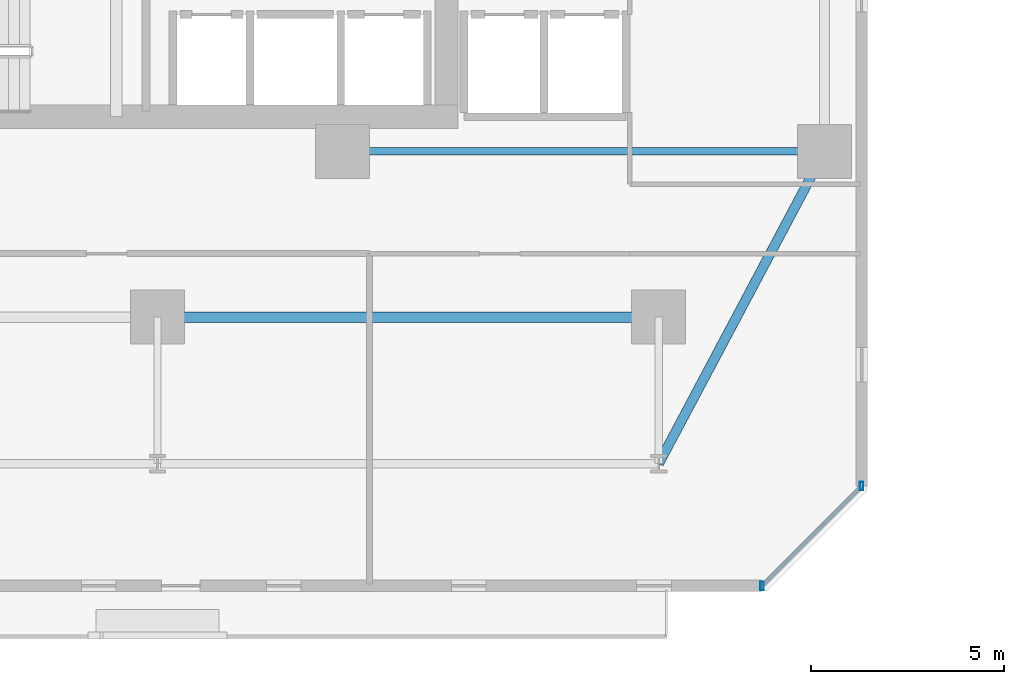
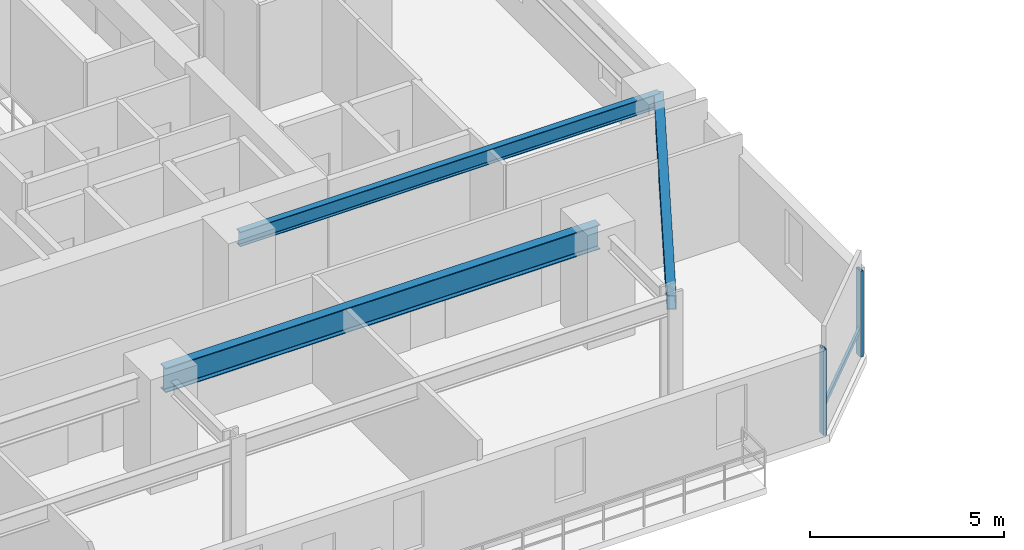
# One storey, part 5 of 33: 3 beams, 3 members, 1 element without a shape of its own.
"""IFC4 building model written with IfcOpenShell, lengths in metres."""

from ifc_helpers import new_model, si_unit, direction, frame, origin, origin_2d, place, context, subcontext, project, spatial, hollow_rectangle, i_section, extrude, material, material_profile, profile_set, type_object, element, aggregate, save


model = new_model("IFC4")

# Units and contexts
model_context = context("Model", 3, precision=1e-05, world=origin(), true_north=direction((0.0, 1.0)))
body_context = subcontext(model_context, "Body", "Model", "MODEL_VIEW")
ifc_project = project(units=[si_unit("LENGTHUNIT", "METRE"), si_unit("AREAUNIT", "SQUARE_METRE"), si_unit("VOLUMEUNIT", "CUBIC_METRE"), si_unit("PLANEANGLEUNIT", "RADIAN"), si_unit("MASSUNIT", "GRAM", prefix="KILO")], contexts=[model_context])

# Site, building, storey
site_placement = place(None, origin())
site = spatial("IfcSite", under=ifc_project, at=site_placement, CompositionType="ELEMENT")
building_placement = place(site_placement, origin())
building = spatial("IfcBuilding", under=site, at=building_placement, Name="Thornwick Lancets Civic Towers", CompositionType="ELEMENT")
storey_placement = place(building_placement, frame((0.0, 0.0, 38.699951171875)))
storey = spatial("IfcBuildingStorey", under=building, at=storey_placement, Name="L09", CompositionType="ELEMENT", Elevation=38.699951171875)

# Beams
ifc_material_1 = material(Name="Steel S355JR", Category="steel")
ifc_material_profile_1 = material_profile(ifc_material_1, i_section(OverallWidth=0.26806640625, OverallDepth=0.769775390625, WebThickness=0.015625, FlangeThickness=0.025390625, FilletRadius=0.0166015625, at=origin_2d()), Name="UKB 762x267x197")
ifc_profile_set_1 = profile_set([ifc_material_profile_1], Name="Steel S355JR")
beam_type_1 = type_object("IfcBeamType", Name="BM_GIRD_762_197", PredefinedType="BEAM", material=ifc_profile_set_1)
beam_1_placement = place(storey_placement, frame((25.580078125, 9.699951171875, 2.97509765625), z_axis=(1.0, 0.0, 0.0), x_axis=(0.0, 1.0, 0.0)))
element("IfcBeam", 1, at=beam_1_placement, inside=storey, type_object=beam_type_1, Name="BM-SPINE-L09-A-1-2", PredefinedType="BEAM", context=body_context, shape_type="SweptSolid", body=[
    extrude(i_section(OverallWidth=0.26806640625, OverallDepth=0.769775390625, WebThickness=0.015625, FlangeThickness=0.025390625, FilletRadius=0.0166015625, at=origin_2d()), origin(), (0.0, 0.0, 1.0), 12.919921875),
])
ifc_material_profile_2 = material_profile(ifc_material_1, i_section(OverallWidth=0.19189453125, OverallDepth=0.46337890625, WebThickness=0.010498046875, FlangeThickness=0.017578125, FilletRadius=0.01025390625, at=origin_2d()), Name="UKB 457x191x89")
ifc_profile_set_2 = profile_set([ifc_material_profile_2], Name="Steel S355JR")
beam_type_2 = type_object("IfcBeamType", Name="BM_JOIST_457_89", PredefinedType="JOIST", material=ifc_profile_set_2)
beam_2_placement = place(storey_placement, frame((30.300048828125, 14.0, 3.12841796875), z_axis=(1.0, 0.0, 0.0), x_axis=(0.0, 1.0, 0.0)))
element("IfcBeam", 2, at=beam_2_placement, inside=storey, type_object=beam_type_2, Name="BM-RADIN-L09-A04", PredefinedType="JOIST", context=body_context, shape_type="SweptSolid", body=[
    extrude(i_section(OverallWidth=0.19189453125, OverallDepth=0.46337890625, WebThickness=0.010498046875, FlangeThickness=0.017578125, FilletRadius=0.01025390625, at=origin_2d()), origin(), (0.0, 0.0, 1.0), 12.5),
])
ifc_material_profile_3 = material_profile(ifc_material_1, hollow_rectangle(XDim=0.25, YDim=0.449951171875, WallThickness=0.01611328125, at=origin_2d()), Name="RHS 450x250x16")
ifc_profile_set_3 = profile_set([ifc_material_profile_3], Name="Steel S355JR")
beam_type_3 = type_object("IfcBeamType", Name="BM_RING_RHS450", PredefinedType="BEAM", material=ifc_profile_set_3)
beam_3_placement = place(storey_placement, frame((38.5, 5.89990234375, 3.135009765625), z_axis=(0.468889189758, 0.883256999818, 0.0), x_axis=(-0.883256999818, 0.468889189758, 0.0)))
element("IfcBeam", 3, at=beam_3_placement, inside=storey, type_object=beam_type_3, Name="BM-CHAMF-L09-A-C0", PredefinedType="BEAM", context=body_context, shape_type="SweptSolid", body=[
    extrude(hollow_rectangle(XDim=0.25, YDim=0.449951171875, WallThickness=0.01611328125, at=origin_2d()), origin(), (0.0, 0.0, 1.0), 9.170654296875),
])

# Curtain wall, members
ifc_material_2 = material(Name="Low-zone chamfered-corner unitised glass curtain wall", Category="glass")
curtain_wall_type = type_object("IfcCurtainWallType", Name="CW_SYS_03", PredefinedType="NOTDEFINED", material=ifc_material_2)
curtain_wall_placement = place(storey_placement, origin())
curtain_wall = element("IfcCurtainWall", 4, at=curtain_wall_placement, inside=storey, type_object=curtain_wall_type, Name="L09 Curtain Wall CW-L09-A-E1", PredefinedType="NOTDEFINED")
ifc_material_3 = material(Name="Thermally broken bronze aluminium S355", Category="steel")
ifc_material_profile_4 = material_profile(ifc_material_3, hollow_rectangle(XDim=0.090087890625, YDim=0.219970703125, WallThickness=0.00634765625, at=origin_2d()), Name="RHS 220x90x6.3")
ifc_profile_set_4 = profile_set([ifc_material_profile_4], Name="Thermally broken bronze aluminium S355")
member_type_1 = type_object("IfcMemberType", Name="CW_MUL_220", PredefinedType="MULLION", material=ifc_profile_set_4)
member_1_placement = place(storey_placement, frame((41.18115234375, 2.735107421875, 0.0), z_axis=(0.0, 0.0, 1.0), x_axis=(1.0, 0.0, 0.0)))
member_1 = element("IfcMember", 5, at=member_1_placement, type_object=member_type_1, Name="CW-L09-A-E1 Mullion 0", PredefinedType="MULLION", context=body_context, shape_type="SweptSolid", body=[
    extrude(hollow_rectangle(XDim=0.090087890625, YDim=0.219970703125, WallThickness=0.00634765625, at=origin_2d()), origin(), (0.0, 0.0, 1.0), 2.699951171875),
])
member_2_placement = place(storey_placement, frame((43.764892578125, 5.31884765625, 0.0), z_axis=(0.0, 0.0, 1.0), x_axis=(1.0, 0.0, 0.0)))
member_2 = element("IfcMember", 6, at=member_2_placement, type_object=member_type_1, Name="CW-L09-A-E1 Mullion 1", PredefinedType="MULLION", context=body_context, shape_type="SweptSolid", body=[
    extrude(hollow_rectangle(XDim=0.090087890625, YDim=0.219970703125, WallThickness=0.00634765625, at=origin_2d()), origin(), (0.0, 0.0, 1.0), 2.699951171875),
])
ifc_material_profile_5 = material_profile(ifc_material_3, hollow_rectangle(XDim=0.074951171875, YDim=0.14990234375, WallThickness=0.0048828125, at=origin_2d()), Name="RHS 150x75x5")
ifc_profile_set_5 = profile_set([ifc_material_profile_5], Name="Thermally broken bronze aluminium S355")
member_type_2 = type_object("IfcMemberType", Name="CW_TRN_150", PredefinedType="USERDEFINED", material=ifc_profile_set_5)
member_3_placement = place(storey_placement, frame((41.1953125, 2.749267578125, 0.85009765625), z_axis=(0.707106781187, 0.707106781187, 0.0), x_axis=(-0.707106781187, 0.707106781187, 0.0)))
member_3 = element("IfcMember", 7, at=member_3_placement, type_object=member_type_2, Name="CW-L09-A-E1 Transom 0", ObjectType="TRANSOM", PredefinedType="USERDEFINED", context=body_context, shape_type="SweptSolid", body=[
    extrude(hollow_rectangle(XDim=0.074951171875, YDim=0.14990234375, WallThickness=0.0048828125, at=origin_2d()), origin(), (0.0, 0.0, 1.0), 3.614013671875),
])
aggregate(curtain_wall, [member_1, member_2, member_3])

save(model, "model.ifc")
